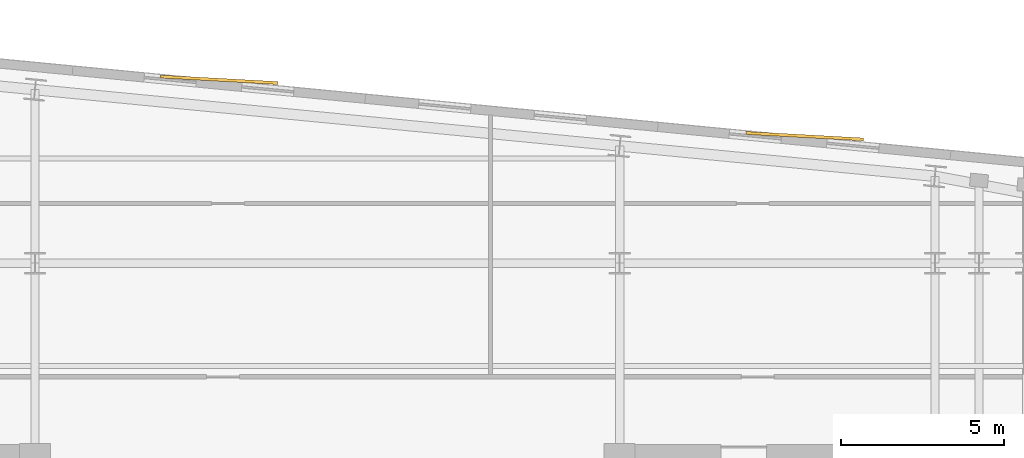
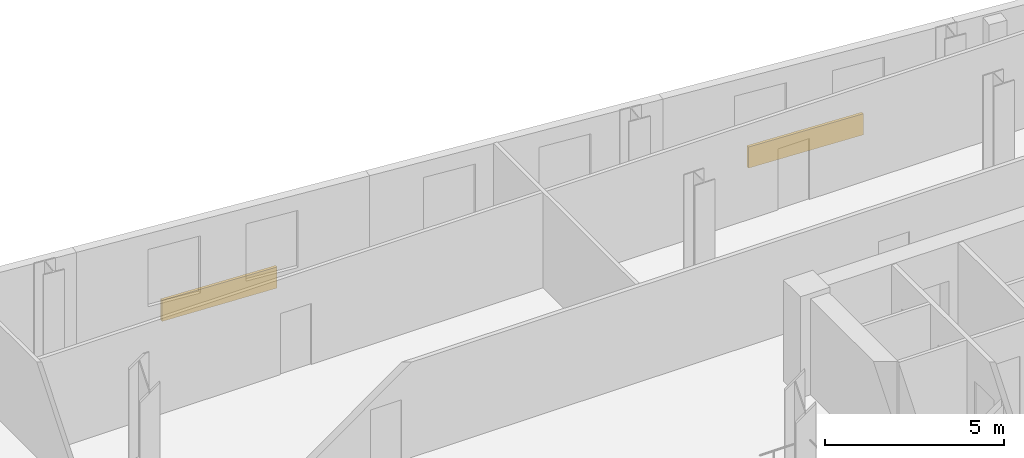
# One storey, part 9 of 9: 2 coverings.
"""IFC4 building model written with IfcOpenShell, lengths in metres."""

from ifc_helpers import new_model, si_unit, direction, frame, origin, origin_2d, place, context, subcontext, project, spatial, rectangle, extrude, material, layer, layer_set, type_object, element, save


model = new_model("IFC4")

# Units and contexts
model_context = context("Model", 3, precision=1e-05, world=origin(), true_north=direction((0.0, 1.0)))
body_context = subcontext(model_context, "Body", "Model", "MODEL_VIEW")
ifc_project = project(units=[si_unit("LENGTHUNIT", "METRE"), si_unit("AREAUNIT", "SQUARE_METRE"), si_unit("VOLUMEUNIT", "CUBIC_METRE"), si_unit("PLANEANGLEUNIT", "RADIAN"), si_unit("MASSUNIT", "GRAM", prefix="KILO")], contexts=[model_context])

# Site, building, storey
site_placement = place(None, origin())
site = spatial("IfcSite", under=ifc_project, at=site_placement, CompositionType="ELEMENT")
building_placement = place(site_placement, origin())
building = spatial("IfcBuilding", under=site, at=building_placement, Name="Velakula Bourse", CompositionType="ELEMENT")
storey_placement = place(building_placement, frame((0.0, 0.0, 184.550048828125)))
storey = spatial("IfcBuildingStorey", under=building, at=storey_placement, Name="L50", CompositionType="ELEMENT", Elevation=184.550048828125)

# Coverings
ifc_material = material(Name="Buff kilned clay facing brick masonry", Category="masonry")
ifc_layer = layer(ifc_material, 0.074951171875, Name="Buff kilned clay facing brick masonry", Category="masonry")
ifc_layer_set = layer_set([ifc_layer], Name="Buff kilned clay facing brick masonry")
covering_type = type_object("IfcCoveringType", Name="COV-BRK-SPN-75", PredefinedType="CLADDING", material=ifc_layer_set)
for number, where, z_axis, x_axis, name in (
    (1, (-3.304931640625, 20.213623046875, 0.0), (0.0, 0.0, 1.0), (0.998489097451, -0.054950179912, 0.0), "L50 Folded Brick Facade Cladding Panel N-B2"),
    (2, (14.6123046875, 18.48828125, 0.0), (0.0, 0.0, 1.0), (0.998489097451, -0.054950179912, 0.0), "L50 Folded Brick Facade Cladding Panel N-B4"),
):
    element("IfcCovering", number, at=place(storey_placement, frame(where, z_axis=z_axis, x_axis=x_axis)), inside=storey, type_object=covering_type, Name=name, PredefinedType="CLADDING", context=body_context, shape_type="SweptSolid", body=[
        extrude(rectangle(XDim=3.60009765625, YDim=0.090087890625, at=origin_2d()), origin(), (0.0, 0.0, 1.0), 0.719970703125),
    ])

save(model, "model.ifc")
